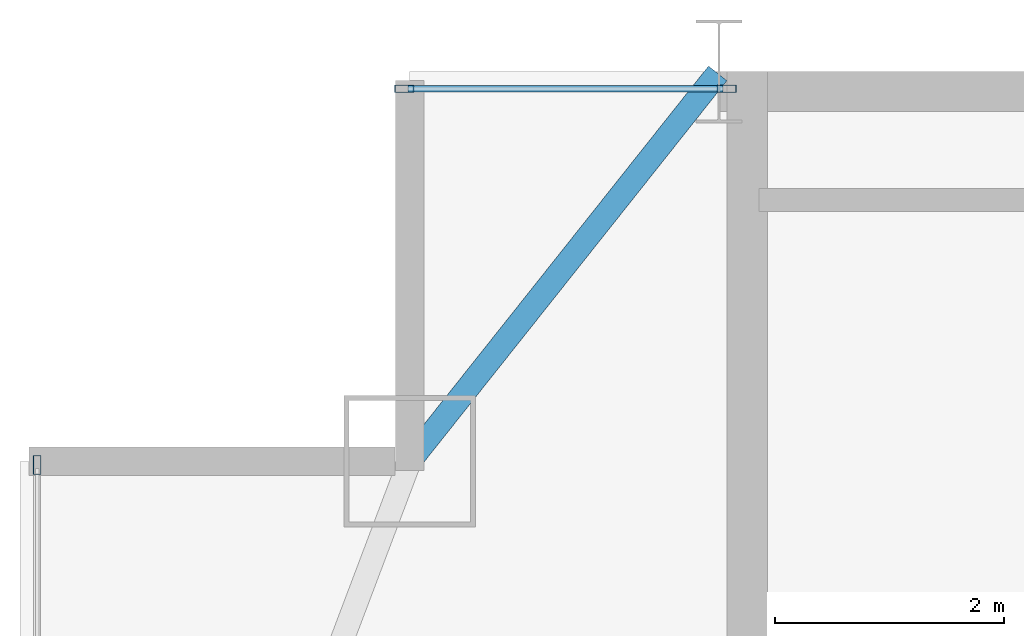
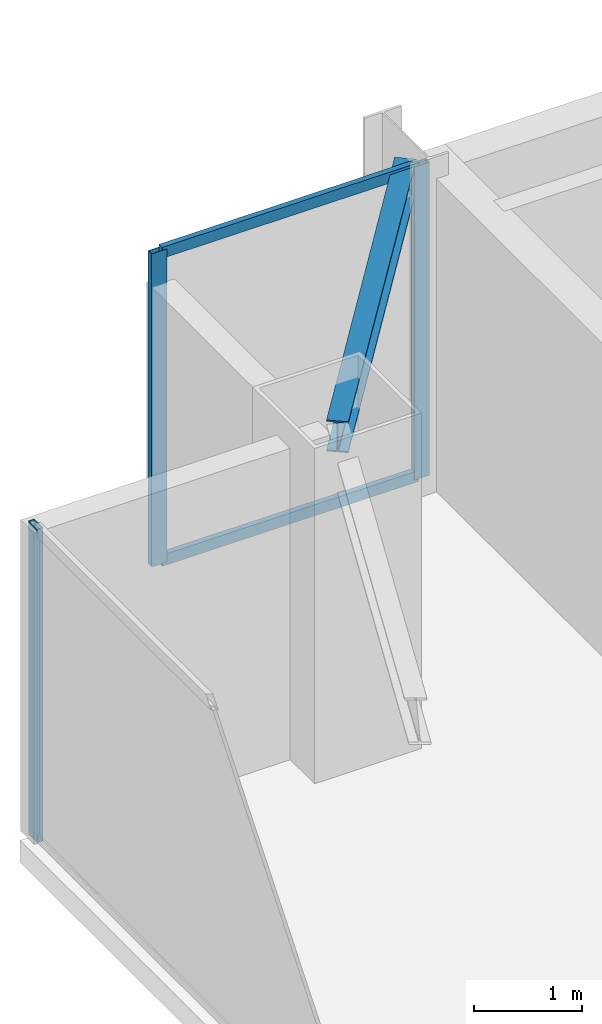
# One storey, part 21 of 31: 5 members, 1 beam, 2 elements without a shape of their own.
"""IFC4 building model written with IfcOpenShell, lengths in metres."""

from ifc_helpers import new_model, si_unit, direction, frame, origin, origin_2d, place, context, subcontext, project, spatial, hollow_rectangle, i_section, extrude, source, transform, mapped, material, layer, layer_set, material_profile, profile_set, type_object, type_shapes, element, aggregate, save


model = new_model("IFC4")

# Units and contexts
model_context = context("Model", 3, precision=1e-05, world=origin(), true_north=direction((0.0, 1.0)))
body_context = subcontext(model_context, "Body", "Model", "MODEL_VIEW")
ifc_project = project(units=[si_unit("LENGTHUNIT", "METRE"), si_unit("AREAUNIT", "SQUARE_METRE"), si_unit("VOLUMEUNIT", "CUBIC_METRE"), si_unit("PLANEANGLEUNIT", "RADIAN"), si_unit("MASSUNIT", "GRAM", prefix="KILO")], contexts=[model_context])

# Site, building, storey
site_placement = place(None, origin())
site = spatial("IfcSite", under=ifc_project, at=site_placement, CompositionType="ELEMENT")
building_placement = place(site_placement, origin())
building = spatial("IfcBuilding", under=site, at=building_placement, Name="Varnel Quay Broadcast Tower", CompositionType="ELEMENT")
storey_placement = place(building_placement, frame((0.0, 0.0, 215.0)))
storey = spatial("IfcBuildingStorey", under=building, at=storey_placement, Name="L53", CompositionType="ELEMENT", Elevation=215.0)

# Beam
ifc_material_1 = material(Name="Structural Steel CSA G40.21 350W", Category="steel")
ifc_material_profile_1 = material_profile(ifc_material_1, i_section(OverallWidth=0.205078125, OverallDepth=0.35400390625, WebThickness=0.009521484375, FlangeThickness=0.016845703125, FilletRadius=0.012939453125, at=origin_2d()), Name="W360X79")
ifc_profile_set_1 = profile_set([ifc_material_profile_1], Name="Structural Steel CSA G40.21 350W")
beam_type = type_object("IfcBeamType", Name="Beam_W360X79", PredefinedType="SPANDREL", material=ifc_profile_set_1)
shared_shape_1 = source(origin(), body_context, "Body", "SweptSolid", [
    extrude(i_section(OverallWidth=0.205078125, OverallDepth=0.35400390625, WebThickness=0.009521484375, FlangeThickness=0.016845703125, FilletRadius=0.012939453125, at=origin_2d()), origin(), (0.0, 0.0, 1.0), 4.301513671875),
])
type_shapes(beam_type, [shared_shape_1])
beam_placement = place(storey_placement, frame((12.912353515625, 43.415771484375, 3.373046875), z_axis=(0.621936399401, 0.783067758946, 0.0), x_axis=(-0.783067758946, 0.621936399401, 0.0)))
element("IfcBeam", 1, at=beam_placement, inside=storey, type_object=beam_type, Name="L53 NW Tie Spandrel", PredefinedType="SPANDREL", context=body_context, shape_type="MappedRepresentation", body=[
    mapped(shared_shape_1, transform((0.0, 0.0, 0.0), x_axis=(1.0, 0.0, 0.0), y_axis=(0.0, 1.0, 0.0), z_axis=(0.0, 0.0, 1.0), scale=1.0)),
])

# Curtain wall, member
ifc_material_2 = material(Name="Anodised Bronze Aluminium 6063-T6", Category="aluminium")
ifc_layer = layer(ifc_material_2, 0.18994140625, Name="Anodised Bronze Aluminium 6063-T6")
ifc_layer_set = layer_set([ifc_layer], Name="Anodised Bronze Aluminium 6063-T6")
curtain_wall_type = type_object("IfcCurtainWallType", Name="CW_UpperTower", PredefinedType="NOTDEFINED", material=ifc_layer_set)
curtain_wall_1_placement = place(storey_placement, origin())
curtain_wall_1 = element("IfcCurtainWall", 2, at=curtain_wall_1_placement, inside=storey, type_object=curtain_wall_type, Name="L53 West Unitised Curtain Wall", PredefinedType="NOTDEFINED")
ifc_material_profile_2 = material_profile(ifc_material_2, hollow_rectangle(XDim=0.06494140625, YDim=0.1650390625, WallThickness=0.00341796875, at=origin_2d()), Name="ALU65X165X3.5")
ifc_profile_set_2 = profile_set([ifc_material_profile_2], Name="Anodised Bronze Aluminium 6063-T6")
member_type_1 = type_object("IfcMemberType", Name="Mull_CWS-03", PredefinedType="MULLION", material=ifc_profile_set_2)
shared_shape_2 = source(origin(), body_context, "Body", "SweptSolid", [
    extrude(hollow_rectangle(XDim=0.06494140625, YDim=0.1650390625, WallThickness=0.00341796875, at=origin_2d()), origin(), (0.0, 0.0, 1.0), 3.550048828125),
])
type_shapes(member_type_1, [shared_shape_2])
member_1_placement = place(storey_placement, frame((9.64990234375, 43.367431640625, 0.0), z_axis=(0.0, 0.0, 1.0), x_axis=(-1.0, 0.0, 0.0)))
member_1 = element("IfcMember", 3, at=member_1_placement, type_object=member_type_1, Name="CWS-03 mullion 3", PredefinedType="MULLION", context=body_context, shape_type="MappedRepresentation", body=[
    mapped(shared_shape_2, transform((0.0, 0.0, 0.0), x_axis=(1.0, 0.0, 0.0), y_axis=(0.0, 1.0, 0.0), z_axis=(0.0, 0.0, 1.0), scale=1.0)),
])
aggregate(curtain_wall_1, [member_1])

# Curtain wall, members
curtain_wall_2_placement = place(storey_placement, origin())
curtain_wall_2 = element("IfcCurtainWall", 4, at=curtain_wall_2_placement, inside=storey, type_object=curtain_wall_type, Name="L53 NW Wing Curtain Wall", PredefinedType="NOTDEFINED")
member_2_placement = place(storey_placement, frame((12.8525390625, 46.64990234375, 0.0), z_axis=(0.0, 0.0, 1.0), x_axis=(0.0, 1.0, 0.0)))
member_2 = element("IfcMember", 5, at=member_2_placement, type_object=member_type_1, Name="CWS-03 mullion 1", PredefinedType="MULLION", context=body_context, shape_type="MappedRepresentation", body=[
    mapped(shared_shape_2, transform((0.0, 0.0, 0.0), x_axis=(1.0, 0.0, 0.0), y_axis=(0.0, 1.0, 0.0), z_axis=(0.0, 0.0, 1.0), scale=1.0)),
])
member_3_placement = place(storey_placement, frame((15.66748046875, 46.64990234375, 0.0), z_axis=(0.0, 0.0, 1.0), x_axis=(0.0, 1.0, 0.0)))
member_3 = element("IfcMember", 6, at=member_3_placement, type_object=member_type_1, Name="CWS-03 mullion 2", PredefinedType="MULLION", context=body_context, shape_type="MappedRepresentation", body=[
    mapped(shared_shape_2, transform((0.0, 0.0, 0.0), x_axis=(1.0, 0.0, 0.0), y_axis=(0.0, 1.0, 0.0), z_axis=(0.0, 0.0, 1.0), scale=1.0)),
])
ifc_material_profile_3 = material_profile(ifc_material_2, hollow_rectangle(XDim=0.06005859375, YDim=0.125, WallThickness=0.0029296875, at=origin_2d()), Name="ALU60X125X3")
ifc_profile_set_3 = profile_set([ifc_material_profile_3], Name="Anodised Bronze Aluminium 6063-T6")
member_type_2 = type_object("IfcMemberType", Name="Tran_CWS-03", PredefinedType="USERDEFINED", material=ifc_profile_set_3)
shared_shape_3 = source(origin(), body_context, "Body", "SweptSolid", [
    extrude(hollow_rectangle(XDim=0.06005859375, YDim=0.125, WallThickness=0.0029296875, at=origin_2d()), origin(), (0.0, 0.0, 1.0), 2.75),
])
type_shapes(member_type_2, [shared_shape_3])
member_4_placement = place(storey_placement, frame((12.885009765625, 46.64990234375, 0.030029296875), z_axis=(1.0, 0.0, 0.0), x_axis=(0.0, 1.0, 0.0)))
member_4 = element("IfcMember", 7, at=member_4_placement, type_object=member_type_2, Name="CWS-03 transom 1.1", ObjectType="TRANSOM", PredefinedType="USERDEFINED", context=body_context, shape_type="MappedRepresentation", body=[
    mapped(shared_shape_3, transform((0.0, 0.0, 0.0), x_axis=(1.0, 0.0, 0.0), y_axis=(0.0, 1.0, 0.0), z_axis=(0.0, 0.0, 1.0), scale=1.0)),
])
member_5_placement = place(storey_placement, frame((12.885009765625, 46.64990234375, 3.52001953125), z_axis=(1.0, 0.0, 0.0), x_axis=(0.0, 1.0, 0.0)))
member_5 = element("IfcMember", 8, at=member_5_placement, type_object=member_type_2, Name="CWS-03 transom 1.2", ObjectType="TRANSOM", PredefinedType="USERDEFINED", context=body_context, shape_type="MappedRepresentation", body=[
    mapped(shared_shape_3, transform((0.0, 0.0, 0.0), x_axis=(1.0, 0.0, 0.0), y_axis=(0.0, 1.0, 0.0), z_axis=(0.0, 0.0, 1.0), scale=1.0)),
])
aggregate(curtain_wall_2, [member_2, member_3, member_4, member_5])

save(model, "model.ifc")
